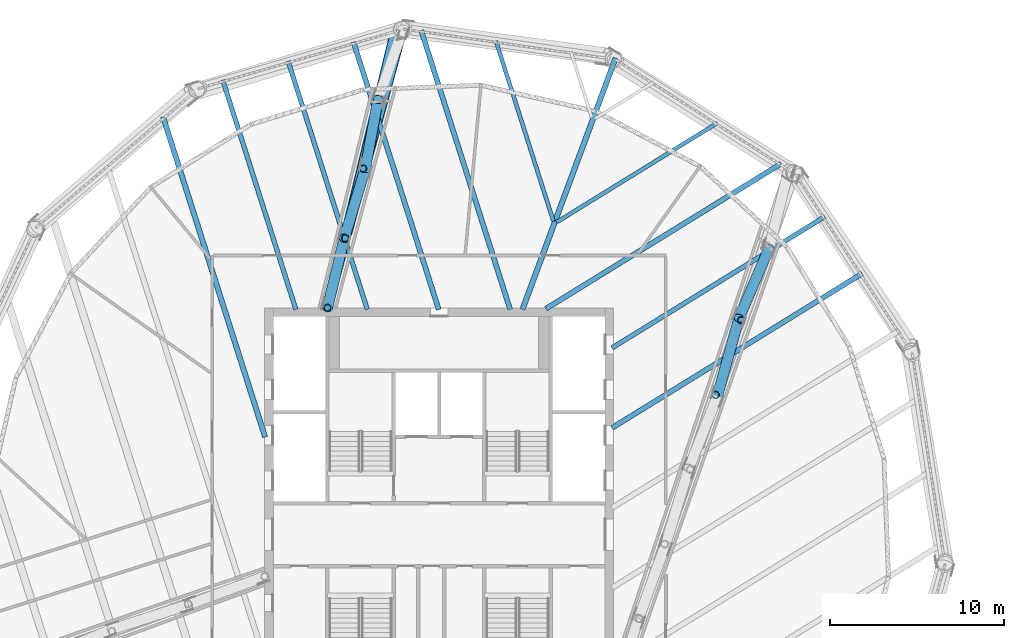
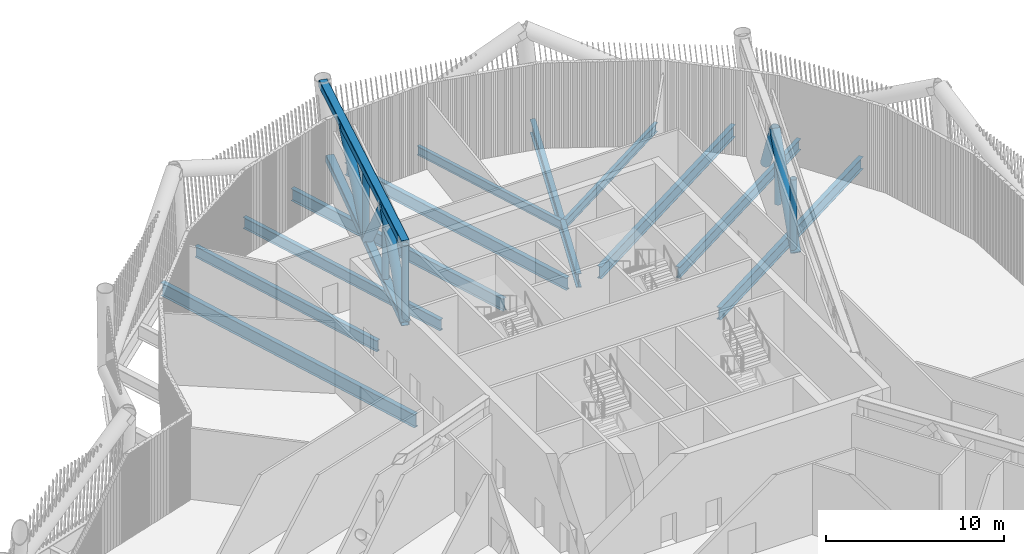
# One storey, part 9 of 40: 12 members, 11 beams.
"""IFC4 building model written with IfcOpenShell, lengths in metres."""

from ifc_helpers import new_model, si_unit, direction, frame, origin, origin_2d, place, context, subcontext, project, spatial, hollow_rectangle, hollow_circle, i_section, extrude, material, material_profile, profile_set, type_object, element, save


model = new_model("IFC4")

# Units and contexts
model_context = context("Model", 3, precision=1e-05, world=origin(), true_north=direction((0.0, 1.0)))
body_context = subcontext(model_context, "Body", "Model", "MODEL_VIEW")
ifc_project = project(units=[si_unit("LENGTHUNIT", "METRE"), si_unit("AREAUNIT", "SQUARE_METRE"), si_unit("VOLUMEUNIT", "CUBIC_METRE"), si_unit("PLANEANGLEUNIT", "RADIAN"), si_unit("MASSUNIT", "GRAM", prefix="KILO")], contexts=[model_context])

# Site, building, storey
site_placement = place(None, origin())
site = spatial("IfcSite", under=ifc_project, at=site_placement, CompositionType="ELEMENT")
building_placement = place(site_placement, origin())
building = spatial("IfcBuilding", under=site, at=building_placement, Name="Tarsis Ring Headquarters", CompositionType="ELEMENT")
storey_placement = place(building_placement, frame((0.0, 0.0, 354.800048828125)))
storey = spatial("IfcBuildingStorey", under=building, at=storey_placement, Name="L84", CompositionType="ELEMENT", Elevation=354.800048828125)

# Beams
ifc_material = material(Name="Structural steel S355", Category="steel")
ifc_material_profile_1 = material_profile(ifc_material, i_section(OverallWidth=0.228271484375, OverallDepth=0.607177734375, WebThickness=0.01123046875, FlangeThickness=0.017333984375, at=origin_2d()), Name="W24x76")
ifc_profile_set_1 = profile_set([ifc_material_profile_1], Name="Structural steel S355")
beam_type_1 = type_object("IfcBeamType", Name="FB Floor beam W24x76", PredefinedType="JOIST", material=ifc_profile_set_1)
for number, where, z_axis, x_axis, name in (
    (1, (6.728515625, 17.90087890625, -0.603515625), (0.850987184756, 0.525186453919, 0.0), (-0.525186453919, 0.850987184756, 0.0), "Floor beam FB4"),
    (2, (3.26123046875, 28.2939453125, -0.603515625), (0.303687017878, -0.952771848436, 0.0), (0.952771848436, 0.303687017878, 0.0), "Floor beam FB4"),
):
    element("IfcBeam", number, at=place(storey_placement, frame(where, z_axis=z_axis, x_axis=x_axis)), inside=storey, type_object=beam_type_1, Name=name, PredefinedType="JOIST", context=body_context, shape_type="SweptSolid", body=[
        extrude(i_section(OverallWidth=0.228271484375, OverallDepth=0.607177734375, WebThickness=0.01123046875, FlangeThickness=0.017333984375, at=origin_2d()), origin(), (0.0, 0.0, 1.0), 10.840087890625),
    ])
ifc_material_profile_2 = material_profile(ifc_material, i_section(OverallWidth=0.2666015625, OverallDepth=0.7568359375, WebThickness=0.013916015625, FlangeThickness=0.019287109375, at=origin_2d()), Name="W30x108")
ifc_profile_set_2 = profile_set([ifc_material_profile_2], Name="Structural steel S355")
beam_type_2 = type_object("IfcBeamType", Name="FB Floor beam W30x108", PredefinedType="JOIST", material=ifc_profile_set_2)
beam_1_placement = place(storey_placement, frame((9.914794921875, 10.70166015625, -0.678466796875), z_axis=(0.85099551585, 0.525172954371, 0.0), x_axis=(-0.525172954371, 0.85099551585, 0.0)))
element("IfcBeam", 3, at=beam_1_placement, inside=storey, type_object=beam_type_2, Name="Floor beam FB6", PredefinedType="JOIST", context=body_context, shape_type="SweptSolid", body=[
    extrude(i_section(OverallWidth=0.2666015625, OverallDepth=0.7568359375, WebThickness=0.013916015625, FlangeThickness=0.019287109375, at=origin_2d()), origin(), (0.0, 0.0, 1.0), 14.331298828125),
])
beam_2_placement = place(storey_placement, frame((-8.65234375, 27.14453125, -0.678466796875), z_axis=(0.303689078982, -0.952771191476, 0.0), x_axis=(0.952771191476, 0.303689078982, 0.0)))
element("IfcBeam", 4, at=beam_2_placement, inside=storey, type_object=beam_type_2, Name="Floor beam FB6", PredefinedType="JOIST", context=body_context, shape_type="SweptSolid", body=[
    extrude(i_section(OverallWidth=0.2666015625, OverallDepth=0.7568359375, WebThickness=0.013916015625, FlangeThickness=0.019287109375, at=origin_2d()), origin(), (0.0, 0.0, 1.0), 14.945556640625),
])
beam_3_placement = place(storey_placement, frame((-12.39892578125, 26.056396484375, -0.678466796875), z_axis=(0.303699310028, -0.952767930342, 0.0), x_axis=(0.952767930342, 0.303699310028, 0.0)))
element("IfcBeam", 5, at=beam_3_placement, inside=storey, type_object=beam_type_2, Name="Floor beam FB6", PredefinedType="JOIST", context=body_context, shape_type="SweptSolid", body=[
    extrude(i_section(OverallWidth=0.2666015625, OverallDepth=0.7568359375, WebThickness=0.013916015625, FlangeThickness=0.019287109375, at=origin_2d()), origin(), (0.0, 0.0, 1.0), 13.803466796875),
])
ifc_material_profile_3 = material_profile(ifc_material, i_section(OverallWidth=0.2919921875, OverallDepth=0.835693359375, WebThickness=0.013916015625, FlangeThickness=0.018798828125, at=origin_2d()), Name="W33x118")
ifc_profile_set_3 = profile_set([ifc_material_profile_3], Name="Structural steel S355")
beam_type_3 = type_object("IfcBeamType", Name="FB Floor beam W33x118", PredefinedType="JOIST", material=ifc_profile_set_3)
beam_4_placement = place(storey_placement, frame((6.1279296875, 12.947509765625, -0.718017578125), z_axis=(0.851000400421, 0.525165039282, 0.0), x_axis=(-0.525165039282, 0.851000400421, 0.0)))
element("IfcBeam", 6, at=beam_4_placement, inside=storey, type_object=beam_type_3, Name="Floor beam FB7", PredefinedType="JOIST", context=body_context, shape_type="SweptSolid", body=[
    extrude(i_section(OverallWidth=0.2919921875, OverallDepth=0.835693359375, WebThickness=0.013916015625, FlangeThickness=0.018798828125, at=origin_2d()), origin(), (0.0, 0.0, 1.0), 15.84033203125),
])
beam_5_placement = place(storey_placement, frame((9.914794921875, 6.118896484375, -0.718017578125), z_axis=(0.850995067827, 0.525173680351, 0.0), x_axis=(-0.525173680351, 0.850995067827, 0.0)))
element("IfcBeam", 7, at=beam_5_placement, inside=storey, type_object=beam_type_3, Name="Floor beam FB7", PredefinedType="JOIST", context=body_context, shape_type="SweptSolid", body=[
    extrude(i_section(OverallWidth=0.2919921875, OverallDepth=0.835693359375, WebThickness=0.013916015625, FlangeThickness=0.018798828125, at=origin_2d()), origin(), (0.0, 0.0, 1.0), 16.839111328125),
])
beam_6_placement = place(storey_placement, frame((-1.028076171875, 28.908203125, -0.718017578125), z_axis=(0.303707565508, -0.952765298829, 0.0), x_axis=(0.952765298829, 0.303707565508, 0.0)))
element("IfcBeam", 8, at=beam_6_placement, inside=storey, type_object=beam_type_3, Name="Floor beam FB7", PredefinedType="JOIST", context=body_context, shape_type="SweptSolid", body=[
    extrude(i_section(OverallWidth=0.2919921875, OverallDepth=0.835693359375, WebThickness=0.013916015625, FlangeThickness=0.018798828125, at=origin_2d()), origin(), (0.0, 0.0, 1.0), 16.796875),
])
beam_7_placement = place(storey_placement, frame((-4.906005859375, 28.232421875, -0.718017578125), z_axis=(0.303712243657, -0.95276380759, 0.0), x_axis=(0.95276380759, 0.303712243657, 0.0)))
element("IfcBeam", 9, at=beam_7_placement, inside=storey, type_object=beam_type_3, Name="Floor beam FB7", PredefinedType="JOIST", context=body_context, shape_type="SweptSolid", body=[
    extrude(i_section(OverallWidth=0.2919921875, OverallDepth=0.835693359375, WebThickness=0.013916015625, FlangeThickness=0.018798828125, at=origin_2d()), origin(), (0.0, 0.0, 1.0), 16.087646484375),
])
ifc_material_profile_4 = material_profile(ifc_material, i_section(OverallWidth=0.3046875, OverallDepth=0.904296875, WebThickness=0.01513671875, FlangeThickness=0.02001953125, at=origin_2d()), Name="W36x135")
ifc_profile_set_4 = profile_set([ifc_material_profile_4], Name="Structural steel S355")
beam_type_4 = type_object("IfcBeamType", Name="FB Floor beam W36x135", PredefinedType="JOIST", material=ifc_profile_set_4)
beam_8_placement = place(storey_placement, frame((-15.817138671875, 23.93798828125, -0.752197265625), z_axis=(0.303700303624, -0.952767613628, 0.0), x_axis=(0.952767613628, 0.303700303624, 0.0)))
element("IfcBeam", 10, at=beam_8_placement, inside=storey, type_object=beam_type_4, Name="Floor beam FB8", PredefinedType="JOIST", context=body_context, shape_type="SweptSolid", body=[
    extrude(i_section(OverallWidth=0.3046875, OverallDepth=0.904296875, WebThickness=0.01513671875, FlangeThickness=0.02001953125, at=origin_2d()), origin(), (0.0, 0.0, 1.0), 19.25390625),
])
ifc_material_profile_5 = material_profile(ifc_material, i_section(OverallWidth=0.309814453125, OverallDepth=0.949951171875, WebThickness=0.0244140625, FlangeThickness=0.0439453125, at=origin_2d()), Name="W36x256")
ifc_profile_set_5 = profile_set([ifc_material_profile_5], Name="Structural steel S355")
beam_type_5 = type_object("IfcBeamType", Name="FB Floor beam W36x256 spine", PredefinedType="BEAM", material=ifc_profile_set_5)
beam_9_placement = place(storey_placement, frame((10.116943359375, 27.320068359375, -0.775146484375), z_axis=(-0.347268313356, -0.937765812204, 0.0), x_axis=(0.937765812204, -0.347268313356, 0.0)))
element("IfcBeam", 11, at=beam_9_placement, inside=storey, type_object=beam_type_5, Name="Floor beam SB11", PredefinedType="BEAM", context=body_context, shape_type="SweptSolid", body=[
    extrude(i_section(OverallWidth=0.309814453125, OverallDepth=0.949951171875, WebThickness=0.0244140625, FlangeThickness=0.0439453125, at=origin_2d()), origin(), (0.0, 0.0, 1.0), 15.370361328125),
])

# Members
ifc_material_profile_6 = material_profile(ifc_material, hollow_rectangle(XDim=0.508056640625, YDim=0.508056640625, WallThickness=0.025390625, InnerFilletRadius=0.025390625, OuterFilletRadius=0.05078125, at=origin_2d()), Name="HSS 508x508x25")
ifc_profile_set_6 = profile_set([ifc_material_profile_6], Name="Structural steel S355")
member_type_1 = type_object("IfcMemberType", Name="OC Outrigger chord HSS 508x508x25", PredefinedType="CHORD", material=ifc_profile_set_6)
member_1_placement = place(storey_placement, frame((-6.39990234375, 13.0, 0.25390625), z_axis=(0.262161375964, 0.965024047862, 0.0), x_axis=(-0.965024047862, 0.262161375964, 0.0)))
element("IfcMember", 12, at=member_1_placement, inside=storey, type_object=member_type_1, Name="Outrigger chord OC1", PredefinedType="CHORD", context=body_context, shape_type="SweptSolid", body=[
    extrude(hollow_rectangle(XDim=0.508056640625, YDim=0.508056640625, WallThickness=0.025390625, InnerFilletRadius=0.025390625, OuterFilletRadius=0.05078125, at=origin_2d()), origin(), (0.0, 0.0, 1.0), 16.55419921875),
])
member_2_placement = place(storey_placement, frame((-6.39990234375, 13.0, 5.5859375), z_axis=(0.236121018985, 0.971723656393, 0.0), x_axis=(-0.971723656393, 0.236121018985, 0.0)))
element("IfcMember", 13, at=member_2_placement, inside=storey, type_object=member_type_1, Name="Outrigger chord OC1", PredefinedType="CHORD", context=body_context, shape_type="SweptSolid", body=[
    extrude(hollow_rectangle(XDim=0.508056640625, YDim=0.508056640625, WallThickness=0.025390625, InnerFilletRadius=0.025390625, OuterFilletRadius=0.05078125, at=origin_2d()), origin(), (0.0, 0.0, 1.0), 16.40185546875),
])
ifc_material_profile_7 = material_profile(ifc_material, hollow_circle(Radius=0.3046875, WallThickness=0.02490234375, at=origin_2d()), Name="CHS 610x25")
ifc_profile_set_7 = profile_set([ifc_material_profile_7], Name="Structural steel S355")
member_type_2 = type_object("IfcMemberType", Name="OD Outrigger diagonal CHS 610x25", PredefinedType="BRACE", material=ifc_profile_set_7)
member_3_placement = place(storey_placement, frame((15.944580078125, 7.915283203125, 0.25390625), z_axis=(0.176022260584, 0.633804291735, 0.753198701245), x_axis=(-0.963531428651, 0.267595190545, 0.0)))
element("IfcMember", 14, at=member_3_placement, inside=storey, type_object=member_type_2, Name="Outrigger diagonal OD1", PredefinedType="BRACE", context=body_context, shape_type="SweptSolid", body=[
    extrude(hollow_circle(Radius=0.3046875, WallThickness=0.02490234375, at=origin_2d()), origin(), (0.0, 0.0, 1.0), 7.0791015625),
])
member_4_placement = place(storey_placement, frame((17.190673828125, 12.402099609375, 5.5859375), z_axis=(0.250277349603, 0.582918635358, -0.773024652148), x_axis=(-0.918885095652, 0.394525260268, 0.0)))
element("IfcMember", 15, at=member_4_placement, inside=storey, type_object=member_type_2, Name="Outrigger diagonal OD1", PredefinedType="BRACE", context=body_context, shape_type="SweptSolid", body=[
    extrude(hollow_circle(Radius=0.3046875, WallThickness=0.02490234375, at=origin_2d()), origin(), (0.0, 0.0, 1.0), 6.897705078125),
])
member_5_placement = place(storey_placement, frame((-6.39990234375, 13.0, 0.25390625), z_axis=(0.143948164939, 0.592379727678, 0.792694887108), x_axis=(-0.971721900912, 0.236128243307, 0.0)))
element("IfcMember", 16, at=member_5_placement, inside=storey, type_object=member_type_2, Name="Outrigger diagonal OD1", PredefinedType="BRACE", context=body_context, shape_type="SweptSolid", body=[
    extrude(hollow_circle(Radius=0.3046875, WallThickness=0.02490234375, at=origin_2d()), origin(), (0.0, 0.0, 1.0), 6.7265625),
])
member_6_placement = place(storey_placement, frame((-5.431640625, 16.984619140625, 5.5859375), z_axis=(0.177371903066, 0.590855287012, -0.787038269599), x_axis=(-0.957774821662, 0.287519374983, 0.0)))
element("IfcMember", 17, at=member_6_placement, inside=storey, type_object=member_type_2, Name="Outrigger diagonal OD1", PredefinedType="BRACE", context=body_context, shape_type="SweptSolid", body=[
    extrude(hollow_circle(Radius=0.3046875, WallThickness=0.02490234375, at=origin_2d()), origin(), (0.0, 0.0, 1.0), 6.77490234375),
])
member_7_placement = place(storey_placement, frame((-4.22998046875, 20.987548828125, 0.25390625), z_axis=(0.109877561763, 0.593207374821, 0.797516101329), x_axis=(-0.983274779402, 0.182128274006, 0.0)))
element("IfcMember", 18, at=member_7_placement, inside=storey, type_object=member_type_2, Name="Outrigger diagonal OD1", PredefinedType="BRACE", context=body_context, shape_type="SweptSolid", body=[
    extrude(hollow_circle(Radius=0.3046875, WallThickness=0.02490234375, at=origin_2d()), origin(), (0.0, 0.0, 1.0), 6.685791015625),
])
ifc_material_profile_8 = material_profile(ifc_material, hollow_circle(Radius=0.203125, WallThickness=0.01611328125, at=origin_2d()), Name="CHS 406x16")
ifc_profile_set_8 = profile_set([ifc_material_profile_8], Name="Structural steel S355")
member_type_3 = type_object("IfcMemberType", Name="OV Outrigger post CHS 406x16", PredefinedType="STRUT", material=ifc_profile_set_8)
for number, where, z_axis, x_axis, name in (
    (19, (15.8486328125, 8.008544921875, 0.508056640625), (0.0, 0.0, 1.0), (1.0, 0.0, 0.0), "Outrigger post OV1"),
    (20, (17.310546875, 12.28564453125, 0.508056640625), (0.0, 0.0, 1.0), (1.0, 0.0, 0.0), "Outrigger post OV1"),
):
    element("IfcMember", number, at=place(storey_placement, frame(where, z_axis=z_axis, x_axis=x_axis)), inside=storey, type_object=member_type_3, Name=name, PredefinedType="STRUT", context=body_context, shape_type="SweptSolid", body=[
        extrude(hollow_circle(Radius=0.203125, WallThickness=0.01611328125, at=origin_2d()), origin(), (0.0, 0.0, 1.0), 4.823974609375),
    ])
member_8_placement = place(storey_placement, frame((-6.39990234375, 13.0, 0.508056640625), z_axis=(0.0, 0.0, 1.0), x_axis=(1.0, 0.0, 0.0)))
element("IfcMember", 21, at=member_8_placement, inside=storey, type_object=member_type_3, Name="Outrigger post OV1", PredefinedType="STRUT", context=body_context, shape_type="SweptSolid", body=[
    extrude(hollow_circle(Radius=0.203125, WallThickness=0.01611328125, at=origin_2d()), origin(), (0.0, 0.0, 1.0), 5.077880859375),
])
for number, where, z_axis, x_axis, name in (
    (22, (-5.373291015625, 16.9892578125, 0.508056640625), (0.0, 0.0, 1.0), (1.0, 0.0, 0.0), "Outrigger post OV1"),
    (23, (-4.3466796875, 20.978271484375, 0.508056640625), (0.0, 0.0, 1.0), (1.0, 0.0, 0.0), "Outrigger post OV1"),
):
    element("IfcMember", number, at=place(storey_placement, frame(where, z_axis=z_axis, x_axis=x_axis)), inside=storey, type_object=member_type_3, Name=name, PredefinedType="STRUT", context=body_context, shape_type="SweptSolid", body=[
        extrude(hollow_circle(Radius=0.203125, WallThickness=0.01611328125, at=origin_2d()), origin(), (0.0, 0.0, 1.0), 4.823974609375),
    ])

save(model, "model.ifc")
